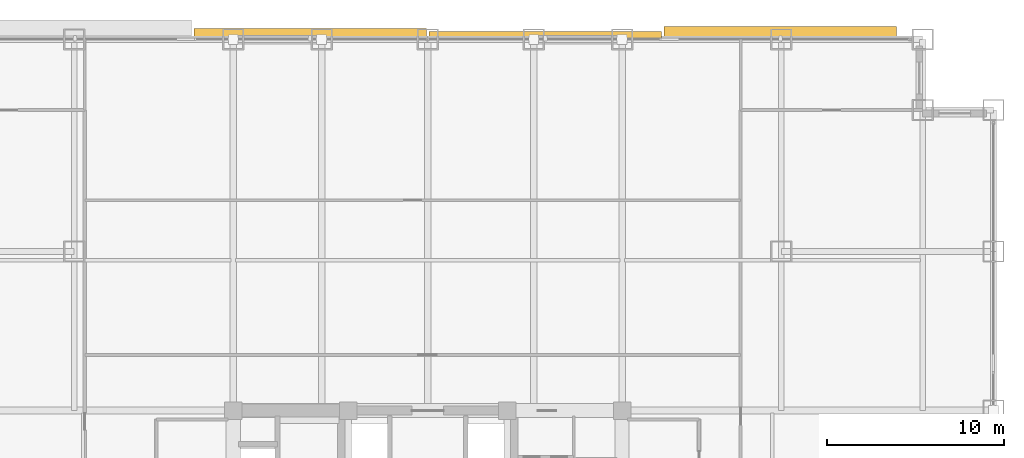
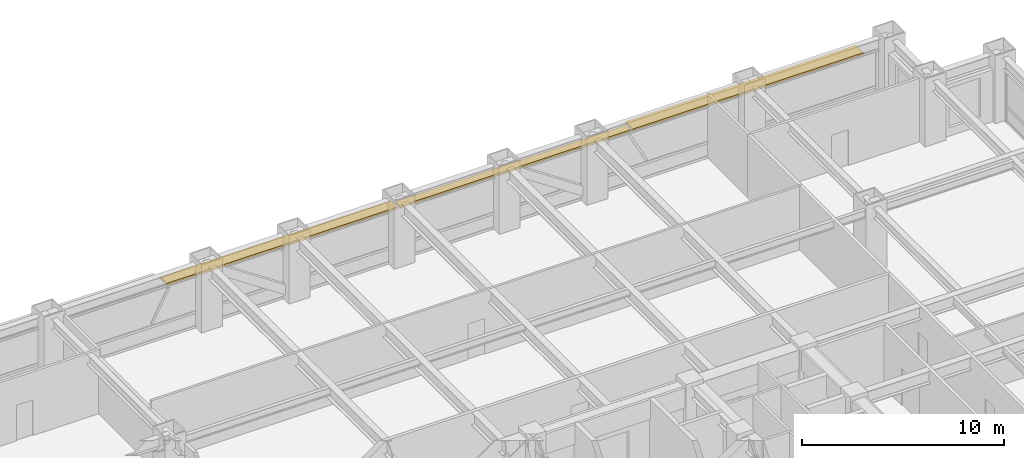
# One storey, part 32 of 32: 3 shading devices.
"""IFC4 building model written with IfcOpenShell, lengths in metres."""

from ifc_helpers import new_model, si_unit, direction, frame, origin, origin_2d, place, context, subcontext, project, spatial, rectangle, extrude, source, transform, mapped, material, layer, layer_set, type_object, element, save


model = new_model("IFC4")

# Units and contexts
model_context = context("Model", 3, precision=1e-05, world=origin(), true_north=direction((0.0, 1.0)))
body_context = subcontext(model_context, "Body", "Model", "MODEL_VIEW")
ifc_project = project(units=[si_unit("LENGTHUNIT", "METRE"), si_unit("AREAUNIT", "SQUARE_METRE"), si_unit("VOLUMEUNIT", "CUBIC_METRE"), si_unit("PLANEANGLEUNIT", "RADIAN"), si_unit("MASSUNIT", "GRAM", prefix="KILO")], contexts=[model_context])

# Site, building, storey
site_placement = place(None, origin())
site = spatial("IfcSite", under=ifc_project, at=site_placement, CompositionType="ELEMENT")
building_placement = place(site_placement, origin())
building = spatial("IfcBuilding", under=site, at=building_placement, Name="Khorayat Bourse Tower", CompositionType="ELEMENT")
storey_placement = place(building_placement, frame((0.0, 0.0, 95.5)))
storey = spatial("IfcBuildingStorey", under=building, at=storey_placement, Name="L21", CompositionType="ELEMENT", Elevation=95.5)

# Shading devices
ifc_material = material(Name="Precast concrete C45/55", Category="concrete")
ifc_layer = layer(ifc_material, 0.139892578125)
ifc_layer_set = layer_set([ifc_layer], Name="Precast concrete C45/55")
shading_device_type = type_object("IfcShadingDeviceType", Name="SHD-WAVE-TRAY-B", PredefinedType="USERDEFINED", material=ifc_layer_set)
shared_shape_1 = source(origin(), body_context, "Body", "SweptSolid", [
    extrude(rectangle(XDim=13.159912109375, YDim=0.751953125, at=origin_2d()), origin(), (0.0, 0.0, 1.0), 0.139892578125),
])
shading_device_1_placement = place(storey_placement, frame((19.949951171875, 32.35595703125, 3.08984375), z_axis=(0.0, 0.0, 1.0), x_axis=(1.0, 0.0, 0.0)))
element("IfcShadingDevice", 1, at=shading_device_1_placement, inside=storey, type_object=shading_device_type, Name="L21 Sinusoidal Wave Sunshade Tray N-4", ObjectType="SUNSHADE", PredefinedType="USERDEFINED", context=body_context, shape_type="MappedRepresentation", body=[
    mapped(shared_shape_1, transform((0.0, 0.0, 0.0), scale=1.0)),
])
shared_shape_2 = source(origin(), body_context, "Body", "SweptSolid", [
    extrude(rectangle(XDim=13.159912109375, YDim=0.45458984375, at=origin_2d()), origin(), (0.0, 0.0, 1.0), 0.139892578125),
])
shading_device_2_placement = place(storey_placement, frame((6.64990234375, 32.207275390625, 3.08984375), z_axis=(0.0, 0.0, 1.0), x_axis=(1.0, 0.0, 0.0)))
element("IfcShadingDevice", 2, at=shading_device_2_placement, inside=storey, type_object=shading_device_type, Name="L21 Sinusoidal Wave Sunshade Tray N-3", ObjectType="SUNSHADE", PredefinedType="USERDEFINED", context=body_context, shape_type="MappedRepresentation", body=[
    mapped(shared_shape_2, transform((0.0, 0.0, 0.0), scale=1.0)),
])
shared_shape_3 = source(origin(), body_context, "Body", "SweptSolid", [
    extrude(rectangle(XDim=13.159912109375, YDim=0.63818359375, at=origin_2d()), origin(), (0.0, 0.0, 1.0), 0.139892578125),
])
shading_device_3_placement = place(storey_placement, frame((-6.64990234375, 32.299072265625, 3.08984375), z_axis=(0.0, 0.0, 1.0), x_axis=(1.0, 0.0, 0.0)))
element("IfcShadingDevice", 3, at=shading_device_3_placement, inside=storey, type_object=shading_device_type, Name="L21 Sinusoidal Wave Sunshade Tray N-2", ObjectType="SUNSHADE", PredefinedType="USERDEFINED", context=body_context, shape_type="MappedRepresentation", body=[
    mapped(shared_shape_3, transform((0.0, 0.0, 0.0), scale=1.0)),
])

save(model, "model.ifc")
